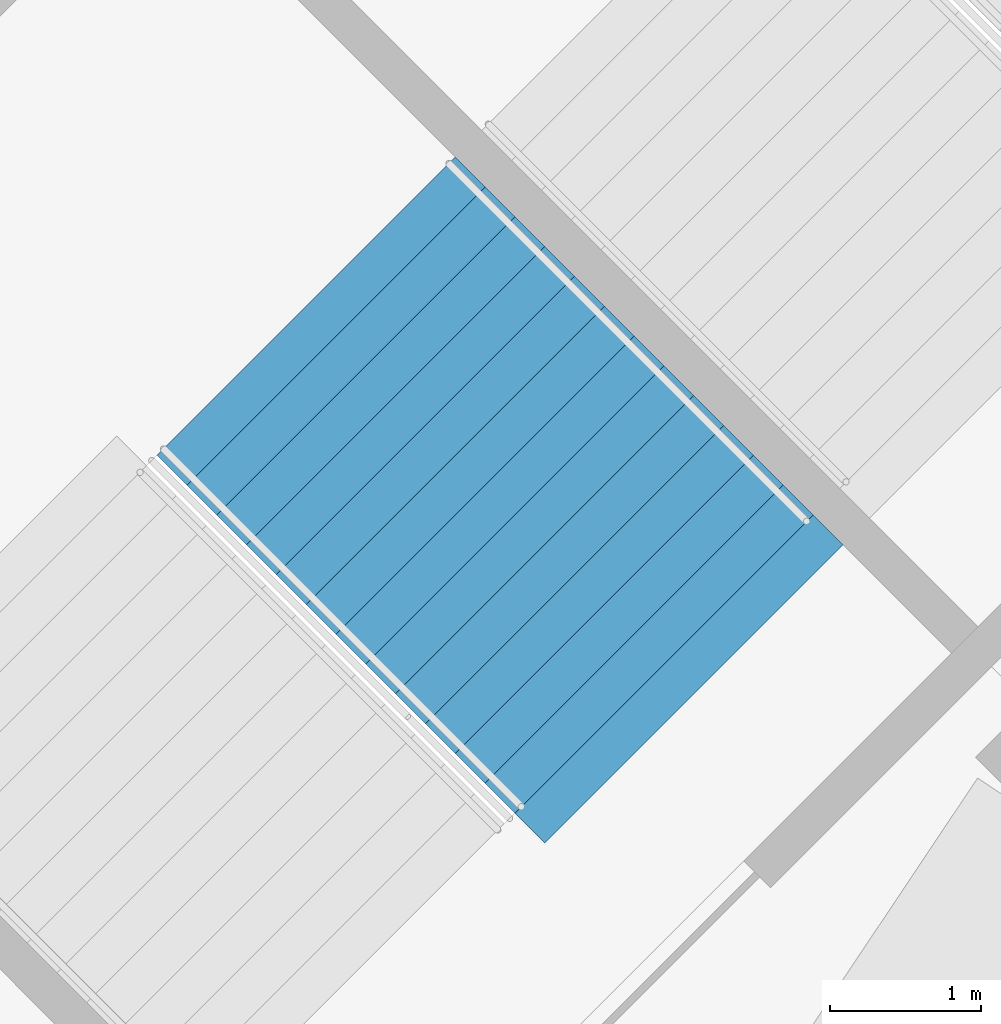
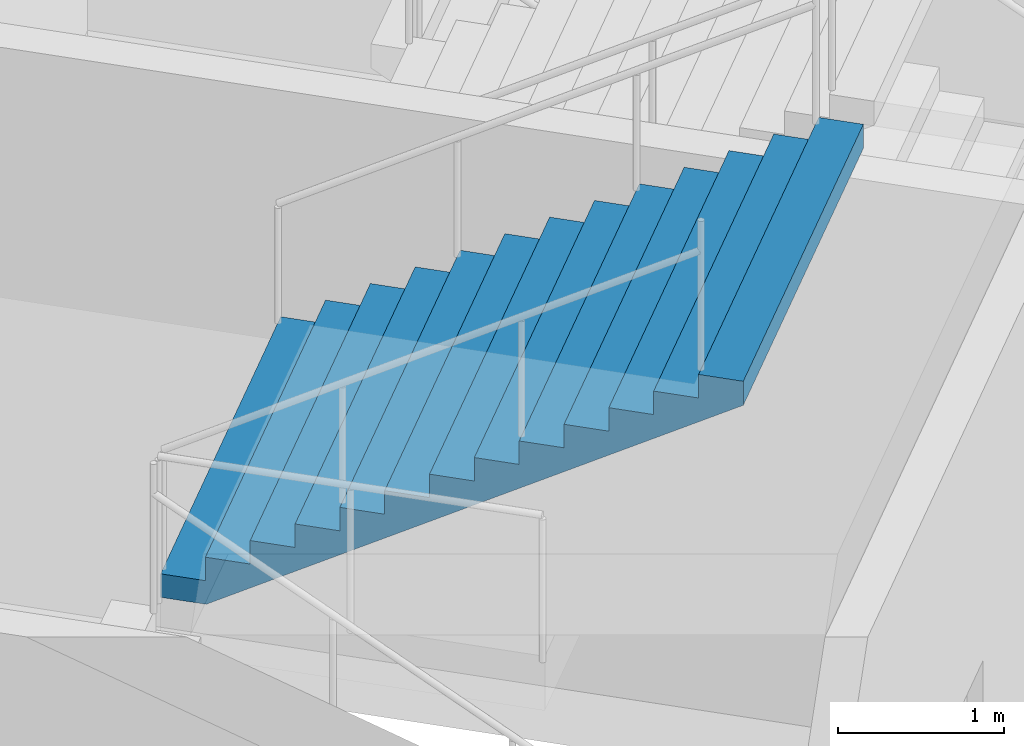
# One storey, part 159 of 199: 1 stair flight, 1 element without a shape of its own.
"""IFC4 building model written with IfcOpenShell, lengths in metres."""

from ifc_helpers import new_model, si_unit, direction, frame, origin, place, context, subcontext, project, spatial, faceted_brep, material, type_object, element, aggregate, save


model = new_model("IFC4")

# Units and contexts
model_context = context("Model", 3, precision=1e-05, world=origin(), true_north=direction((0.0, 1.0)))
body_context = subcontext(model_context, "Body", "Model", "MODEL_VIEW")
ifc_project = project(units=[si_unit("LENGTHUNIT", "METRE"), si_unit("AREAUNIT", "SQUARE_METRE"), si_unit("VOLUMEUNIT", "CUBIC_METRE"), si_unit("PLANEANGLEUNIT", "RADIAN"), si_unit("MASSUNIT", "GRAM", prefix="KILO")], contexts=[model_context])

# Site, building, storey
site_placement = place(None, origin())
site = spatial("IfcSite", under=ifc_project, at=site_placement, CompositionType="ELEMENT")
building_placement = place(site_placement, origin())
building = spatial("IfcBuilding", under=site, at=building_placement, Name="Ogive Plaza Stadium", CompositionType="ELEMENT")
storey_placement = place(building_placement, frame((0.0, 0.0, 4.5)))
storey = spatial("IfcBuildingStorey", under=building, at=storey_placement, Name="L01", CompositionType="ELEMENT", Elevation=4.5)

# Stair, stair flight
ifc_material_1 = material(Name="Concrete C40/50", Category="concrete")
stair_type = type_object("IfcStairType", Name="Exit stair", PredefinedType="STRAIGHT_RUN_STAIR", material=ifc_material_1)
stair_placement = place(storey_placement, origin())
stair = element("IfcStair", 1, at=stair_placement, inside=storey, type_object=stair_type, Name="Exit stair ST30B L01 to L02", PredefinedType="STRAIGHT_RUN_STAIR")
ifc_material_2 = material(Name="Concrete C40/50", Category="concrete")
stair_flight_type = type_object("IfcStairFlightType", Name="Exit stair flight", PredefinedType="STRAIGHT", material=ifc_material_2)
stair_flight_placement = place(storey_placement, frame((-67.400146484375, 83.743408203125, 2.25), z_axis=(0.0, 0.0, 1.0), x_axis=(0.707106781187, -0.707106781187, 0.0)))
stair_flight = element("IfcStairFlight", 2, at=stair_flight_placement, type_object=stair_flight_type, Name="ST30B flight 2", NumberOfRisers=13, NumberOfTreads=12, PredefinedType="STRAIGHT", RiserHeight=0.173076923, TreadLength=0.28, context=body_context, shape_type="Brep", body=[
    faceted_brep([(0.28515625, -1.39990234375, 0.0), (3.639892578125, -1.39990234375, 2.07373046875), (3.639892578125, -1.39990234375, 2.25), (3.360107421875, -1.39990234375, 2.25), (3.360107421875, -1.39990234375, 2.076904296875), (3.080078125, -1.39990234375, 2.076904296875), (3.080078125, -1.39990234375, 1.90380859375), (2.800048828125, -1.39990234375, 1.90380859375), (2.800048828125, -1.39990234375, 1.730712890625), (2.52001953125, -1.39990234375, 1.730712890625), (2.52001953125, -1.39990234375, 1.5576171875), (2.239990234375, -1.39990234375, 1.5576171875), (2.239990234375, -1.39990234375, 1.384521484375), (1.9599609375, -1.39990234375, 1.384521484375), (1.9599609375, -1.39990234375, 1.21142578125), (1.679931640625, -1.39990234375, 1.21142578125), (1.679931640625, -1.39990234375, 1.03857421875), (1.39990234375, -1.39990234375, 1.03857421875), (1.39990234375, -1.39990234375, 0.865478515625), (1.1201171875, -1.39990234375, 0.865478515625), (1.1201171875, -1.39990234375, 0.6923828125), (0.840087890625, -1.39990234375, 0.6923828125), (0.840087890625, -1.39990234375, 0.519287109375), (0.56005859375, -1.39990234375, 0.519287109375), (0.56005859375, -1.39990234375, 0.34619140625), (0.280029296875, -1.39990234375, 0.34619140625), (0.280029296875, -1.39990234375, 0.173095703125), (0.0, -1.39990234375, 0.173095703125), (0.0, -1.39990234375, 0.0), (0.0, 1.39990234375, 0.0), (0.0, 1.39990234375, 0.173095703125), (0.280029296875, 1.39990234375, 0.173095703125), (0.280029296875, 1.39990234375, 0.34619140625), (0.56005859375, 1.39990234375, 0.34619140625), (0.56005859375, 1.39990234375, 0.519287109375), (0.840087890625, 1.39990234375, 0.519287109375), (0.840087890625, 1.39990234375, 0.6923828125), (1.1201171875, 1.39990234375, 0.6923828125), (1.1201171875, 1.39990234375, 0.865478515625), (1.39990234375, 1.39990234375, 0.865478515625), (1.39990234375, 1.39990234375, 1.03857421875), (1.679931640625, 1.39990234375, 1.03857421875), (1.679931640625, 1.39990234375, 1.21142578125), (1.9599609375, 1.39990234375, 1.21142578125), (1.9599609375, 1.39990234375, 1.384521484375), (2.239990234375, 1.39990234375, 1.384521484375), (2.239990234375, 1.39990234375, 1.5576171875), (2.52001953125, 1.39990234375, 1.5576171875), (2.52001953125, 1.39990234375, 1.730712890625), (2.800048828125, 1.39990234375, 1.730712890625), (2.800048828125, 1.39990234375, 1.90380859375), (3.080078125, 1.39990234375, 1.90380859375), (3.080078125, 1.39990234375, 2.076904296875), (3.360107421875, 1.39990234375, 2.076904296875), (3.360107421875, 1.39990234375, 2.25), (3.639892578125, 1.39990234375, 2.25), (3.639892578125, 1.39990234375, 2.07373046875), (0.28515625, 1.39990234375, 0.0), (0.28515625, -1.0888671875, 0.0), (3.639892578125, -1.0888671875, 2.07373046875), (0.28515625, -0.77783203125, 0.0), (3.639892578125, -0.77783203125, 2.07373046875), (0.28515625, -0.466796875, 0.0), (3.639892578125, -0.466796875, 2.07373046875), (0.28515625, -0.155517578125, 0.0), (3.639892578125, -0.155517578125, 2.07373046875), (0.28515625, 0.155517578125, 0.0), (3.639892578125, 0.155517578125, 2.07373046875), (0.28515625, 0.466796875, 0.0), (3.639892578125, 0.466796875, 2.07373046875), (0.28515625, 0.77783203125, 0.0), (3.639892578125, 0.77783203125, 2.07373046875), (0.28515625, 1.0888671875, 0.0), (3.639892578125, 1.0888671875, 2.07373046875), (3.639892578125, -1.0888671875, 2.25), (3.639892578125, -0.77783203125, 2.25), (3.639892578125, -0.466796875, 2.25), (3.639892578125, -0.155517578125, 2.25), (3.639892578125, 0.155517578125, 2.25), (3.639892578125, 0.466796875, 2.25), (3.639892578125, 0.77783203125, 2.25), (3.639892578125, 1.0888671875, 2.25), (3.360107421875, -1.0888671875, 2.25), (3.360107421875, -0.77783203125, 2.25), (3.360107421875, -0.466796875, 2.25), (3.360107421875, -0.155517578125, 2.25), (3.360107421875, 0.155517578125, 2.25), (3.360107421875, 0.466796875, 2.25), (3.360107421875, 0.77783203125, 2.25), (3.360107421875, 1.0888671875, 2.25), (3.360107421875, -1.0888671875, 2.076904296875), (3.360107421875, -0.77783203125, 2.076904296875), (3.360107421875, -0.466796875, 2.076904296875), (3.360107421875, -0.155517578125, 2.076904296875), (3.360107421875, 0.155517578125, 2.076904296875), (3.360107421875, 0.466796875, 2.076904296875), (3.360107421875, 0.77783203125, 2.076904296875), (3.360107421875, 1.0888671875, 2.076904296875), (3.080078125, -1.0888671875, 2.076904296875), (3.080078125, -0.77783203125, 2.076904296875), (3.080078125, -0.466796875, 2.076904296875), (3.080078125, -0.155517578125, 2.076904296875), (3.080078125, 0.155517578125, 2.076904296875), (3.080078125, 0.466796875, 2.076904296875), (3.080078125, 0.77783203125, 2.076904296875), (3.080078125, 1.0888671875, 2.076904296875), (3.080078125, -1.0888671875, 1.90380859375), (3.080078125, -0.77783203125, 1.90380859375), (3.080078125, -0.466796875, 1.90380859375), (3.080078125, -0.155517578125, 1.90380859375), (3.080078125, 0.155517578125, 1.90380859375), (3.080078125, 0.466796875, 1.90380859375), (3.080078125, 0.77783203125, 1.90380859375), (3.080078125, 1.0888671875, 1.90380859375), (2.800048828125, -1.0888671875, 1.90380859375), (2.800048828125, -0.77783203125, 1.90380859375), (2.800048828125, -0.466796875, 1.90380859375), (2.800048828125, -0.155517578125, 1.90380859375), (2.800048828125, 0.155517578125, 1.90380859375), (2.800048828125, 0.466796875, 1.90380859375), (2.800048828125, 0.77783203125, 1.90380859375), (2.800048828125, 1.0888671875, 1.90380859375), (2.800048828125, -1.0888671875, 1.730712890625), (2.800048828125, -0.77783203125, 1.730712890625), (2.800048828125, -0.466796875, 1.730712890625), (2.800048828125, -0.155517578125, 1.730712890625), (2.800048828125, 0.155517578125, 1.730712890625), (2.800048828125, 0.466796875, 1.730712890625), (2.800048828125, 0.77783203125, 1.730712890625), (2.800048828125, 1.0888671875, 1.730712890625), (2.52001953125, -1.0888671875, 1.730712890625), (2.52001953125, -0.77783203125, 1.730712890625), (2.52001953125, -0.466796875, 1.730712890625), (2.52001953125, -0.155517578125, 1.730712890625), (2.52001953125, 0.155517578125, 1.730712890625), (2.52001953125, 0.466796875, 1.730712890625), (2.52001953125, 0.77783203125, 1.730712890625), (2.52001953125, 1.0888671875, 1.730712890625), (2.52001953125, -1.0888671875, 1.5576171875), (2.52001953125, -0.77783203125, 1.5576171875), (2.52001953125, -0.466796875, 1.5576171875), (2.52001953125, -0.155517578125, 1.5576171875), (2.52001953125, 0.155517578125, 1.5576171875), (2.52001953125, 0.466796875, 1.5576171875), (2.52001953125, 0.77783203125, 1.5576171875), (2.52001953125, 1.0888671875, 1.5576171875), (2.239990234375, -1.0888671875, 1.5576171875), (2.239990234375, -0.77783203125, 1.5576171875), (2.239990234375, -0.466796875, 1.5576171875), (2.239990234375, -0.155517578125, 1.5576171875), (2.239990234375, 0.155517578125, 1.5576171875), (2.239990234375, 0.466796875, 1.5576171875), (2.239990234375, 0.77783203125, 1.5576171875), (2.239990234375, 1.0888671875, 1.5576171875), (2.239990234375, -1.0888671875, 1.384521484375), (2.239990234375, -0.77783203125, 1.384521484375), (2.239990234375, -0.466796875, 1.384521484375), (2.239990234375, -0.155517578125, 1.384521484375), (2.239990234375, 0.155517578125, 1.384521484375), (2.239990234375, 0.466796875, 1.384521484375), (2.239990234375, 0.77783203125, 1.384521484375), (2.239990234375, 1.0888671875, 1.384521484375), (1.9599609375, -1.0888671875, 1.384521484375), (1.9599609375, -0.77783203125, 1.384521484375), (1.9599609375, -0.466796875, 1.384521484375), (1.9599609375, -0.155517578125, 1.384521484375), (1.9599609375, 0.155517578125, 1.384521484375), (1.9599609375, 0.466796875, 1.384521484375), (1.9599609375, 0.77783203125, 1.384521484375), (1.9599609375, 1.0888671875, 1.384521484375), (1.9599609375, -1.0888671875, 1.21142578125), (1.9599609375, -0.77783203125, 1.21142578125), (1.9599609375, -0.466796875, 1.21142578125), (1.9599609375, -0.155517578125, 1.21142578125), (1.9599609375, 0.155517578125, 1.21142578125), (1.9599609375, 0.466796875, 1.21142578125), (1.9599609375, 0.77783203125, 1.21142578125), (1.9599609375, 1.0888671875, 1.21142578125), (1.679931640625, -1.0888671875, 1.21142578125), (1.679931640625, -0.77783203125, 1.21142578125), (1.679931640625, -0.466796875, 1.21142578125), (1.679931640625, -0.155517578125, 1.21142578125), (1.679931640625, 0.155517578125, 1.21142578125), (1.679931640625, 0.466796875, 1.21142578125), (1.679931640625, 0.77783203125, 1.21142578125), (1.679931640625, 1.0888671875, 1.21142578125), (1.679931640625, -1.0888671875, 1.03857421875), (1.679931640625, -0.77783203125, 1.03857421875), (1.679931640625, -0.466796875, 1.03857421875), (1.679931640625, -0.155517578125, 1.03857421875), (1.679931640625, 0.155517578125, 1.03857421875), (1.679931640625, 0.466796875, 1.03857421875), (1.679931640625, 0.77783203125, 1.03857421875), (1.679931640625, 1.0888671875, 1.03857421875), (1.39990234375, -1.0888671875, 1.03857421875), (1.39990234375, -0.77783203125, 1.03857421875), (1.39990234375, -0.466796875, 1.03857421875), (1.39990234375, -0.155517578125, 1.03857421875), (1.39990234375, 0.155517578125, 1.03857421875), (1.39990234375, 0.466796875, 1.03857421875), (1.39990234375, 0.77783203125, 1.03857421875), (1.39990234375, 1.0888671875, 1.03857421875), (1.39990234375, -1.0888671875, 0.865478515625), (1.39990234375, -0.77783203125, 0.865478515625), (1.39990234375, -0.466796875, 0.865478515625), (1.39990234375, -0.155517578125, 0.865478515625), (1.39990234375, 0.155517578125, 0.865478515625), (1.39990234375, 0.466796875, 0.865478515625), (1.39990234375, 0.77783203125, 0.865478515625), (1.39990234375, 1.0888671875, 0.865478515625), (1.1201171875, -1.0888671875, 0.865478515625), (1.1201171875, -0.77783203125, 0.865478515625), (1.1201171875, -0.466796875, 0.865478515625), (1.1201171875, -0.155517578125, 0.865478515625), (1.1201171875, 0.155517578125, 0.865478515625), (1.1201171875, 0.466796875, 0.865478515625), (1.1201171875, 0.77783203125, 0.865478515625), (1.1201171875, 1.0888671875, 0.865478515625), (1.1201171875, -1.0888671875, 0.6923828125), (1.1201171875, -0.77783203125, 0.6923828125), (1.1201171875, -0.466796875, 0.6923828125), (1.1201171875, -0.155517578125, 0.6923828125), (1.1201171875, 0.155517578125, 0.6923828125), (1.1201171875, 0.466796875, 0.6923828125), (1.1201171875, 0.77783203125, 0.6923828125), (1.1201171875, 1.0888671875, 0.6923828125), (0.840087890625, -1.0888671875, 0.6923828125), (0.840087890625, -0.77783203125, 0.6923828125), (0.840087890625, -0.466796875, 0.6923828125), (0.840087890625, -0.155517578125, 0.6923828125), (0.840087890625, 0.155517578125, 0.6923828125), (0.840087890625, 0.466796875, 0.6923828125), (0.840087890625, 0.77783203125, 0.6923828125), (0.840087890625, 1.0888671875, 0.6923828125), (0.840087890625, -1.0888671875, 0.519287109375), (0.840087890625, -0.77783203125, 0.519287109375), (0.840087890625, -0.466796875, 0.519287109375), (0.840087890625, -0.155517578125, 0.519287109375), (0.840087890625, 0.155517578125, 0.519287109375), (0.840087890625, 0.466796875, 0.519287109375), (0.840087890625, 0.77783203125, 0.519287109375), (0.840087890625, 1.0888671875, 0.519287109375), (0.56005859375, -1.0888671875, 0.519287109375), (0.56005859375, -0.77783203125, 0.519287109375), (0.56005859375, -0.466796875, 0.519287109375), (0.56005859375, -0.155517578125, 0.519287109375), (0.56005859375, 0.155517578125, 0.519287109375), (0.56005859375, 0.466796875, 0.519287109375), (0.56005859375, 0.77783203125, 0.519287109375), (0.56005859375, 1.0888671875, 0.519287109375), (0.56005859375, -1.0888671875, 0.34619140625), (0.56005859375, -0.77783203125, 0.34619140625), (0.56005859375, -0.466796875, 0.34619140625), (0.56005859375, -0.155517578125, 0.34619140625), (0.56005859375, 0.155517578125, 0.34619140625), (0.56005859375, 0.466796875, 0.34619140625), (0.56005859375, 0.77783203125, 0.34619140625), (0.56005859375, 1.0888671875, 0.34619140625), (0.280029296875, -1.0888671875, 0.34619140625), (0.280029296875, -0.77783203125, 0.34619140625), (0.280029296875, -0.466796875, 0.34619140625), (0.280029296875, -0.155517578125, 0.34619140625), (0.280029296875, 0.155517578125, 0.34619140625), (0.280029296875, 0.466796875, 0.34619140625), (0.280029296875, 0.77783203125, 0.34619140625), (0.280029296875, 1.0888671875, 0.34619140625), (0.280029296875, -1.0888671875, 0.173095703125), (0.280029296875, -0.77783203125, 0.173095703125), (0.280029296875, -0.466796875, 0.173095703125), (0.280029296875, -0.155517578125, 0.173095703125), (0.280029296875, 0.155517578125, 0.173095703125), (0.280029296875, 0.466796875, 0.173095703125), (0.280029296875, 0.77783203125, 0.173095703125), (0.280029296875, 1.0888671875, 0.173095703125), (0.0, -1.0888671875, 0.173095703125), (0.0, -0.77783203125, 0.173095703125), (0.0, -0.466796875, 0.173095703125), (0.0, -0.155517578125, 0.173095703125), (0.0, 0.155517578125, 0.173095703125), (0.0, 0.466796875, 0.173095703125), (0.0, 0.77783203125, 0.173095703125), (0.0, 1.0888671875, 0.173095703125), (0.0, -1.0888671875, 0.0), (0.0, -0.77783203125, 0.0), (0.0, -0.466796875, 0.0), (0.0, -0.155517578125, 0.0), (0.0, 0.155517578125, 0.0), (0.0, 0.466796875, 0.0), (0.0, 0.77783203125, 0.0), (0.0, 1.0888671875, 0.0)], [[[0, 1, 2, 3, 4, 5, 6, 7, 8, 9, 10, 11, 12, 13, 14, 15, 16, 17, 18, 19, 20, 21, 22, 23, 24, 25, 26, 27, 28]], [[29, 30, 31, 32, 33, 34, 35, 36, 37, 38, 39, 40, 41, 42, 43, 44, 45, 46, 47, 48, 49, 50, 51, 52, 53, 54, 55, 56, 57]], [[0, 58, 59, 1]], [[58, 60, 61, 59]], [[60, 62, 63, 61]], [[62, 64, 65, 63]], [[64, 66, 67, 65]], [[66, 68, 69, 67]], [[68, 70, 71, 69]], [[70, 72, 73, 71]], [[72, 57, 56, 73]], [[1, 59, 74, 2]], [[59, 61, 75, 74]], [[61, 63, 76, 75]], [[63, 65, 77, 76]], [[65, 67, 78, 77]], [[67, 69, 79, 78]], [[69, 71, 80, 79]], [[71, 73, 81, 80]], [[73, 56, 55, 81]], [[2, 74, 82, 3]], [[74, 75, 83, 82]], [[75, 76, 84, 83]], [[76, 77, 85, 84]], [[77, 78, 86, 85]], [[78, 79, 87, 86]], [[79, 80, 88, 87]], [[80, 81, 89, 88]], [[81, 55, 54, 89]], [[3, 82, 90, 4]], [[82, 83, 91, 90]], [[83, 84, 92, 91]], [[84, 85, 93, 92]], [[85, 86, 94, 93]], [[86, 87, 95, 94]], [[87, 88, 96, 95]], [[88, 89, 97, 96]], [[89, 54, 53, 97]], [[4, 90, 98, 5]], [[90, 91, 99, 98]], [[91, 92, 100, 99]], [[92, 93, 101, 100]], [[93, 94, 102, 101]], [[94, 95, 103, 102]], [[95, 96, 104, 103]], [[96, 97, 105, 104]], [[97, 53, 52, 105]], [[5, 98, 106, 6]], [[98, 99, 107, 106]], [[99, 100, 108, 107]], [[100, 101, 109, 108]], [[101, 102, 110, 109]], [[102, 103, 111, 110]], [[103, 104, 112, 111]], [[104, 105, 113, 112]], [[105, 52, 51, 113]], [[6, 106, 114, 7]], [[106, 107, 115, 114]], [[107, 108, 116, 115]], [[108, 109, 117, 116]], [[109, 110, 118, 117]], [[110, 111, 119, 118]], [[111, 112, 120, 119]], [[112, 113, 121, 120]], [[113, 51, 50, 121]], [[7, 114, 122, 8]], [[114, 115, 123, 122]], [[115, 116, 124, 123]], [[116, 117, 125, 124]], [[117, 118, 126, 125]], [[118, 119, 127, 126]], [[119, 120, 128, 127]], [[120, 121, 129, 128]], [[121, 50, 49, 129]], [[8, 122, 130, 9]], [[122, 123, 131, 130]], [[123, 124, 132, 131]], [[124, 125, 133, 132]], [[125, 126, 134, 133]], [[126, 127, 135, 134]], [[127, 128, 136, 135]], [[128, 129, 137, 136]], [[129, 49, 48, 137]], [[9, 130, 138, 10]], [[130, 131, 139, 138]], [[131, 132, 140, 139]], [[132, 133, 141, 140]], [[133, 134, 142, 141]], [[134, 135, 143, 142]], [[135, 136, 144, 143]], [[136, 137, 145, 144]], [[137, 48, 47, 145]], [[10, 138, 146, 11]], [[138, 139, 147, 146]], [[139, 140, 148, 147]], [[140, 141, 149, 148]], [[141, 142, 150, 149]], [[142, 143, 151, 150]], [[143, 144, 152, 151]], [[144, 145, 153, 152]], [[145, 47, 46, 153]], [[11, 146, 154, 12]], [[146, 147, 155, 154]], [[147, 148, 156, 155]], [[148, 149, 157, 156]], [[149, 150, 158, 157]], [[150, 151, 159, 158]], [[151, 152, 160, 159]], [[152, 153, 161, 160]], [[153, 46, 45, 161]], [[12, 154, 162, 13]], [[154, 155, 163, 162]], [[155, 156, 164, 163]], [[156, 157, 165, 164]], [[157, 158, 166, 165]], [[158, 159, 167, 166]], [[159, 160, 168, 167]], [[160, 161, 169, 168]], [[161, 45, 44, 169]], [[13, 162, 170, 14]], [[162, 163, 171, 170]], [[163, 164, 172, 171]], [[164, 165, 173, 172]], [[165, 166, 174, 173]], [[166, 167, 175, 174]], [[167, 168, 176, 175]], [[168, 169, 177, 176]], [[169, 44, 43, 177]], [[14, 170, 178, 15]], [[170, 171, 179, 178]], [[171, 172, 180, 179]], [[172, 173, 181, 180]], [[173, 174, 182, 181]], [[174, 175, 183, 182]], [[175, 176, 184, 183]], [[176, 177, 185, 184]], [[177, 43, 42, 185]], [[15, 178, 186, 16]], [[178, 179, 187, 186]], [[179, 180, 188, 187]], [[180, 181, 189, 188]], [[181, 182, 190, 189]], [[182, 183, 191, 190]], [[183, 184, 192, 191]], [[184, 185, 193, 192]], [[185, 42, 41, 193]], [[16, 186, 194, 17]], [[186, 187, 195, 194]], [[187, 188, 196, 195]], [[188, 189, 197, 196]], [[189, 190, 198, 197]], [[190, 191, 199, 198]], [[191, 192, 200, 199]], [[192, 193, 201, 200]], [[193, 41, 40, 201]], [[17, 194, 202, 18]], [[194, 195, 203, 202]], [[195, 196, 204, 203]], [[196, 197, 205, 204]], [[197, 198, 206, 205]], [[198, 199, 207, 206]], [[199, 200, 208, 207]], [[200, 201, 209, 208]], [[201, 40, 39, 209]], [[18, 202, 210, 19]], [[202, 203, 211, 210]], [[203, 204, 212, 211]], [[204, 205, 213, 212]], [[205, 206, 214, 213]], [[206, 207, 215, 214]], [[207, 208, 216, 215]], [[208, 209, 217, 216]], [[209, 39, 38, 217]], [[19, 210, 218, 20]], [[210, 211, 219, 218]], [[211, 212, 220, 219]], [[212, 213, 221, 220]], [[213, 214, 222, 221]], [[214, 215, 223, 222]], [[215, 216, 224, 223]], [[216, 217, 225, 224]], [[217, 38, 37, 225]], [[20, 218, 226, 21]], [[218, 219, 227, 226]], [[219, 220, 228, 227]], [[220, 221, 229, 228]], [[221, 222, 230, 229]], [[222, 223, 231, 230]], [[223, 224, 232, 231]], [[224, 225, 233, 232]], [[225, 37, 36, 233]], [[21, 226, 234, 22]], [[226, 227, 235, 234]], [[227, 228, 236, 235]], [[228, 229, 237, 236]], [[229, 230, 238, 237]], [[230, 231, 239, 238]], [[231, 232, 240, 239]], [[232, 233, 241, 240]], [[233, 36, 35, 241]], [[22, 234, 242, 23]], [[234, 235, 243, 242]], [[235, 236, 244, 243]], [[236, 237, 245, 244]], [[237, 238, 246, 245]], [[238, 239, 247, 246]], [[239, 240, 248, 247]], [[240, 241, 249, 248]], [[241, 35, 34, 249]], [[23, 242, 250, 24]], [[242, 243, 251, 250]], [[243, 244, 252, 251]], [[244, 245, 253, 252]], [[245, 246, 254, 253]], [[246, 247, 255, 254]], [[247, 248, 256, 255]], [[248, 249, 257, 256]], [[249, 34, 33, 257]], [[24, 250, 258, 25]], [[250, 251, 259, 258]], [[251, 252, 260, 259]], [[252, 253, 261, 260]], [[253, 254, 262, 261]], [[254, 255, 263, 262]], [[255, 256, 264, 263]], [[256, 257, 265, 264]], [[257, 33, 32, 265]], [[25, 258, 266, 26]], [[258, 259, 267, 266]], [[259, 260, 268, 267]], [[260, 261, 269, 268]], [[261, 262, 270, 269]], [[262, 263, 271, 270]], [[263, 264, 272, 271]], [[264, 265, 273, 272]], [[265, 32, 31, 273]], [[26, 266, 274, 27]], [[266, 267, 275, 274]], [[267, 268, 276, 275]], [[268, 269, 277, 276]], [[269, 270, 278, 277]], [[270, 271, 279, 278]], [[271, 272, 280, 279]], [[272, 273, 281, 280]], [[273, 31, 30, 281]], [[27, 274, 282, 28]], [[274, 275, 283, 282]], [[275, 276, 284, 283]], [[276, 277, 285, 284]], [[277, 278, 286, 285]], [[278, 279, 287, 286]], [[279, 280, 288, 287]], [[280, 281, 289, 288]], [[281, 30, 29, 289]], [[28, 282, 58, 0]], [[282, 283, 60, 58]], [[283, 284, 62, 60]], [[284, 285, 64, 62]], [[285, 286, 66, 64]], [[286, 287, 68, 66]], [[287, 288, 70, 68]], [[288, 289, 72, 70]], [[289, 29, 57, 72]]]),
])
aggregate(stair, [stair_flight])

save(model, "model.ifc")
